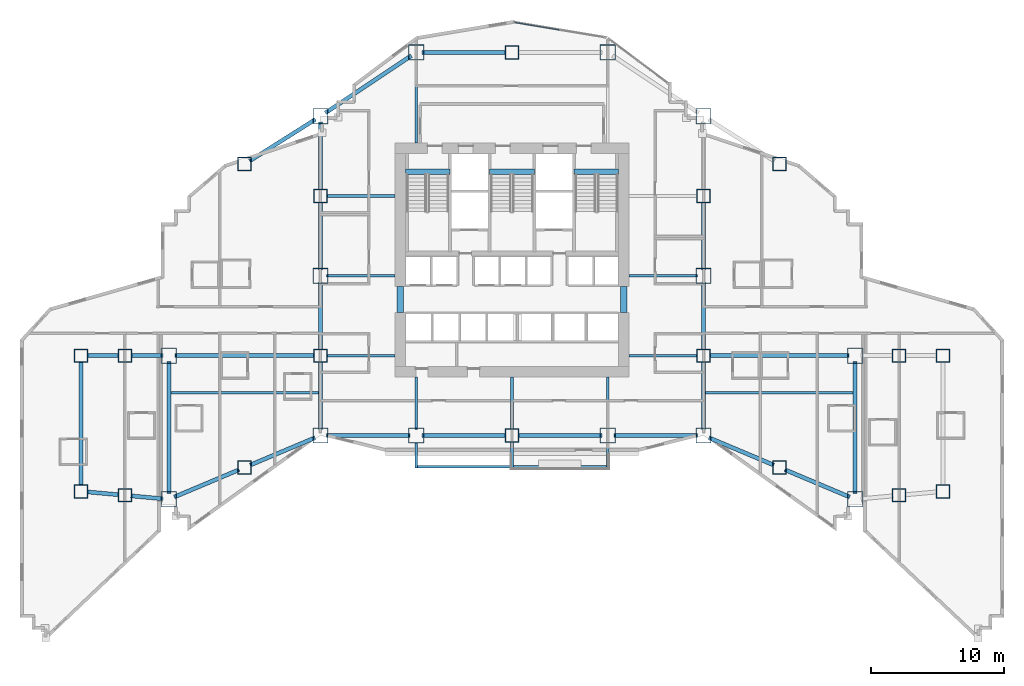
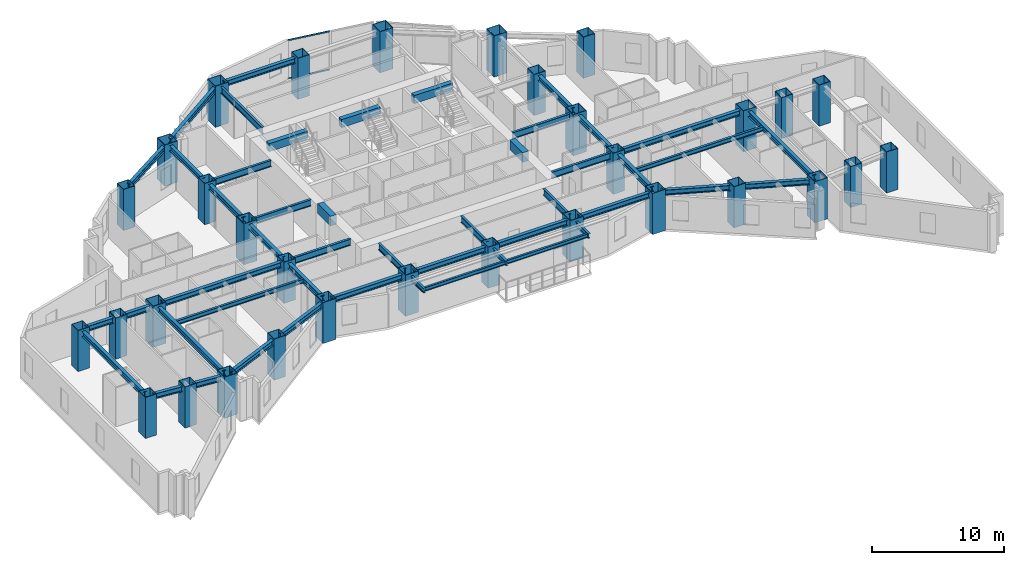
# One storey, part 1 of 17: 48 beams, 32 columns, 2 members, 1 element without a shape of its own.
"""IFC4 building model written with IfcOpenShell, lengths in metres."""

import ifcopenshell
import ifcopenshell.guid

model = None  # the IFC model being written
_history = None  # IfcOwnerHistory: only IFC2X3 demands one
_inside = {}  # id of a spatial element -> (the spatial element, [elements in it])
_under = {}  # id of a project, library or spatial element -> (it, [spatial elements below it])
_declared = {}  # id of a project -> (the project, [libraries it declares])
_typed = {}  # id of a type object -> (the type object, [elements of that type])
_made_of = {}  # id of a material, layer set ... -> (it, [elements and type objects made of it])


def new_model(schema):
    """Start an empty IFC model of exactly this schema.

    Asked for "IFC4X3", IfcOpenShell would pick the latest addendum, in which some entities
    have other attributes; the version numbers below select the first issue.
    IFC2X3 requires an IfcOwnerHistory on every rooted entity: one is made here for all.
    """
    global model, _history
    if schema == "IFC4X3":
        model = ifcopenshell.file(schema_version=(4, 3, 0, 0))
    else:
        model = ifcopenshell.file(schema=schema)
    _inside.clear()
    _under.clear()
    _declared.clear()
    _typed.clear()
    _made_of.clear()
    _history = None
    if model.schema == "IFC2X3":
        org = make("IfcOrganization", Name="unknown")
        user = make(
            "IfcPersonAndOrganization",
            ThePerson=make("IfcPerson", FamilyName="unknown"),
            TheOrganization=org,
        )
        app = make(
            "IfcApplication",
            ApplicationDeveloper=org,
            Version="unknown",
            ApplicationFullName="unknown",
            ApplicationIdentifier="unknown",
        )
        _history = make(
            "IfcOwnerHistory",
            OwningUser=user,
            OwningApplication=app,
            ChangeAction="ADDED",
            CreationDate=0,
        )
    return model


def make(cls, **values):
    """One entity of the class cls with the attributes given. An attribute that is None is left unset."""
    return model.create_entity(
        cls, **{name: value for name, value in values.items() if value is not None}
    )


def rooted(cls, **values):
    """An entity with a GlobalId (a new one), such as an element, a storey or a relation."""
    return make(cls, GlobalId=ifcopenshell.guid.new(), OwnerHistory=_history, **values)


def si_unit(unit_type, name, prefix=None):
    """IfcSIUnit, for example si_unit("LENGTHUNIT", "METRE", prefix="MILLI")."""
    return make("IfcSIUnit", UnitType=unit_type, Prefix=prefix, Name=name)


def assignment(units):
    """IfcUnitAssignment: the units of a project."""
    return None if units is None else make("IfcUnitAssignment", Units=units)


def point(xyz):
    """IfcCartesianPoint."""
    return None if xyz is None else make("IfcCartesianPoint", Coordinates=xyz)


def direction(xyz):
    """IfcDirection."""
    return None if xyz is None else make("IfcDirection", DirectionRatios=xyz)


def frame(location, z_axis=None, x_axis=None):
    """IfcAxis2Placement3D, a coordinate frame: its origin and axes. An axis left out is left unset."""
    return make(
        "IfcAxis2Placement3D",
        Location=point(location),
        Axis=direction(z_axis),
        RefDirection=direction(x_axis),
    )


def frame_2d(location, x_axis=None):
    """IfcAxis2Placement2D, a coordinate frame in the plane: its origin and x axis."""
    return make(
        "IfcAxis2Placement2D", Location=point(location), RefDirection=direction(x_axis)
    )


def origin():
    """The frame at (0, 0, 0) with its axes left unset."""
    return frame((0.0, 0.0, 0.0))


def origin_2d():
    """The frame at (0, 0) in the plane with its x axis left unset."""
    return frame_2d((0.0, 0.0))


def place(relative_to, where):
    """IfcLocalPlacement: puts the frame where relative to a parent placement (None: the world)."""
    return make(
        "IfcLocalPlacement", PlacementRelTo=relative_to, RelativePlacement=where
    )


def context(
    kind, dimensions, precision=None, world=None, true_north=None, identifier=None
):
    """IfcGeometricRepresentationContext, for example the 3D "Model" context."""
    return make(
        "IfcGeometricRepresentationContext",
        ContextIdentifier=identifier,
        ContextType=kind,
        CoordinateSpaceDimension=dimensions,
        Precision=precision,
        WorldCoordinateSystem=world,
        TrueNorth=true_north,
    )


def subcontext(parent, identifier, kind, view, scale=None):
    """IfcGeometricRepresentationSubContext, for example "Body" below "Model"."""
    return make(
        "IfcGeometricRepresentationSubContext",
        ContextIdentifier=identifier,
        ContextType=kind,
        ParentContext=parent,
        TargetScale=scale,
        TargetView=view,
    )


def project(units=None, contexts=None):
    """IfcProject with its units and contexts."""
    return rooted(
        "IfcProject",
        Name="project",
        RepresentationContexts=contexts,
        UnitsInContext=assignment(units),
    )


def spatial(cls, under=None, at=None, **own):
    """A site, building, storey or space (cls), placed at a placement, below another one or the project."""
    s = rooted(cls, ObjectPlacement=at, **own)
    if under is not None:
        _under.setdefault(under.id(), (under, []))[1].append(s)
    return s


def profile(cls, at=None, kind="AREA", **sizes):
    """A parametric profile (cls). Its sizes go by their IFC names, for example OverallWidth=200.0."""
    return make(cls, ProfileType=kind, Position=at, **sizes)


def rectangle(**sizes):
    """IfcRectangleProfileDef."""
    return profile("IfcRectangleProfileDef", **sizes)


def hollow_rectangle(**sizes):
    """IfcRectangleHollowProfileDef."""
    return profile("IfcRectangleHollowProfileDef", **sizes)


def i_section(**sizes):
    """IfcIShapeProfileDef."""
    return profile("IfcIShapeProfileDef", **sizes)


def extrude(swept, where, along, depth):
    """IfcExtrudedAreaSolid: the profile swept, set in the frame where, extruded along a direction by depth."""
    return make(
        "IfcExtrudedAreaSolid",
        SweptArea=swept,
        Position=where,
        ExtrudedDirection=direction(along),
        Depth=depth,
    )


def shape(context_of_items, identifier, shape_type, items):
    """IfcShapeRepresentation: the items that make up one representation, for example the "Body"."""
    return make(
        "IfcShapeRepresentation",
        ContextOfItems=context_of_items,
        RepresentationIdentifier=identifier,
        RepresentationType=shape_type,
        Items=items,
    )


def material(Name=None, Category=None):
    """IfcMaterial."""
    return make("IfcMaterial", Name=Name, Category=Category)


def layer(
    of_material, thickness, ventilated=None, Name=None, Category=None, Priority=None
):
    """IfcMaterialLayer: one layer of a wall or slab, of a material (None: an air gap)."""
    return make(
        "IfcMaterialLayer",
        Material=of_material,
        LayerThickness=thickness,
        IsVentilated=ventilated,
        Name=Name,
        Category=Category,
        Priority=Priority,
    )


def layer_set(layers, Name=None):
    """IfcMaterialLayerSet."""
    return make("IfcMaterialLayerSet", MaterialLayers=layers, LayerSetName=Name)


def material_profile(
    of_material, cross_section, Name=None, Category=None, Priority=None
):
    """IfcMaterialProfile: a cross section and its material."""
    return make(
        "IfcMaterialProfile",
        Name=Name,
        Material=of_material,
        Profile=cross_section,
        Priority=Priority,
        Category=Category,
    )


def profile_set(profiles, Name=None, composite=None):
    """IfcMaterialProfileSet."""
    return make(
        "IfcMaterialProfileSet",
        Name=Name,
        MaterialProfiles=profiles,
        CompositeProfile=composite,
    )


def made_of(thing, what):
    """Note that an element or type object is made of a material, layer set ...; save() writes the relation."""
    if what is not None:
        _made_of.setdefault(what.id(), (what, []))[1].append(thing)
    return thing


def type_object(cls, material=None, **own):
    """A type object (cls), such as IfcWallType, which elements share."""
    return made_of(rooted(cls, **own), material)


def element(
    cls,
    number,
    at=None,
    inside=None,
    cuts=None,
    type_object=None,
    material=None,
    context=None,
    identifier="Body",
    shape_type=None,
    held_by="IfcProductDefinitionShape",
    body=None,
    shapes=None,
    **own,
):
    """One element of the class cls, such as IfcWall. Its Tag is "e" and its number.

    at: its placement. inside: the storey or other place that contains it. cuts: it is an
    opening in that element (IfcRelVoidsElement). A single representation is given by context,
    identifier, shape_type and body (its items); several are given by shapes. held_by: the class
    of the entity that holds the representations. save() writes the other relations.
    """
    e = rooted(cls, Tag="e%d" % number, ObjectPlacement=at, **own)
    if body is not None:
        shapes = [shape(context, identifier, shape_type, body)]
    if shapes is not None:
        e.Representation = make(held_by, Representations=shapes)
    if inside is not None:
        _inside.setdefault(inside.id(), (inside, []))[1].append(e)
    if cuts is not None:
        rooted(
            "IfcRelVoidsElement", RelatingBuildingElement=cuts, RelatedOpeningElement=e
        )
    if type_object is not None:
        _typed.setdefault(type_object.id(), (type_object, []))[1].append(e)
    return made_of(e, material)


def aggregate(whole, parts):
    """IfcRelAggregates: a whole, such as a stair, and the parts it consists of."""
    return rooted("IfcRelAggregates", RelatingObject=whole, RelatedObjects=parts)


def save(model, path):
    """Write the relations noted so far, then the file.

    IfcRelAggregates (storeys below a building ...), IfcRelContainedInSpatialStructure (elements
    in a storey), IfcRelDefinesByType, IfcRelAssociatesMaterial and IfcRelDeclares: one each for
    every whole, place, type object, material and project.
    """
    for whole, parts in _under.values():
        aggregate(whole, parts)
    for where, things in _inside.values():
        rooted(
            "IfcRelContainedInSpatialStructure",
            RelatedElements=things,
            RelatingStructure=where,
        )
    for kind, things in _typed.values():
        rooted("IfcRelDefinesByType", RelatedObjects=things, RelatingType=kind)
    for what, things in _made_of.values():
        rooted("IfcRelAssociatesMaterial", RelatedObjects=things, RelatingMaterial=what)
    for by, libraries in _declared.values():
        rooted("IfcRelDeclares", RelatingContext=by, RelatedDefinitions=libraries)
    model.write(path)


model = new_model("IFC4")

# Units and contexts
model_context = context("Model", 3, precision=1e-05, world=origin(), true_north=direction((0.0, 1.0)))
body_context = subcontext(model_context, "Body", "Model", "MODEL_VIEW")
ifc_project = project(units=[si_unit("LENGTHUNIT", "METRE"), si_unit("AREAUNIT", "SQUARE_METRE"), si_unit("VOLUMEUNIT", "CUBIC_METRE"), si_unit("PLANEANGLEUNIT", "RADIAN"), si_unit("MASSUNIT", "GRAM", prefix="KILO")], contexts=[model_context])

# Site, building, storey
site_placement = place(None, origin())
site = spatial("IfcSite", under=ifc_project, at=site_placement, CompositionType="ELEMENT")
building_placement = place(site_placement, origin())
building = spatial("IfcBuilding", under=site, at=building_placement, Name="Haolan Belvedere Tower", CompositionType="ELEMENT")
storey_placement = place(building_placement, frame((0.0, 0.0, 59.0)))
storey = spatial("IfcBuildingStorey", under=building, at=storey_placement, Name="L14", CompositionType="ELEMENT", Elevation=59.0)

# Columns
ifc_material_1 = material(Name="Steel Q420GJC", Category="steel")
ifc_material_profile_1 = material_profile(ifc_material_1, hollow_rectangle(XDim=1.0, YDim=1.0, WallThickness=0.0380859375, at=origin_2d()), Name="Steel Q420GJC")
ifc_profile_set_1 = profile_set([ifc_material_profile_1], Name="Steel Q420GJC")
column_type_1 = type_object("IfcColumnType", Name="COL-BOX1000x1000x38", PredefinedType="COLUMN", material=ifc_profile_set_1)
for number, where, z_axis, x_axis, name in (
    (1, (6.0, 17.39990234375, 0.0), (0.0, 0.0, 1.0), (1.0, 0.0, 0.0), "L14 column MC-T1-SW (BOX1000x1000x38)"),
    (2, (6.0, 27.60009765625, 0.0), (0.0, 0.0, 1.0), (1.0, 0.0, 0.0), "L14 column MC-T1-NW (BOX1000x1000x38)"),
    (3, (70.800048828125, 17.39990234375, 0.0), (0.0, 0.0, 1.0), (1.0, 0.0, 0.0), "L14 column MC-T5-SE (BOX1000x1000x38)"),
    (4, (70.800048828125, 27.60009765625, 0.0), (0.0, 0.0, 1.0), (1.0, 0.0, 0.0), "L14 column MC-T5-NE (BOX1000x1000x38)"),
    (5, (24.0, 27.60009765625, 0.0), (0.0, 0.0, 1.0), (1.0, 0.0, 0.0), "L14 column TC-T3-W1 (BOX1000x1000x38)"),
    (6, (24.0, 39.60009765625, 0.0), (0.0, 0.0, 1.0), (1.0, 0.0, 0.0), "L14 column TC-T3-W2 (BOX1000x1000x38)"),
    (7, (52.800048828125, 27.60009765625, 0.0), (0.0, 0.0, 1.0), (1.0, 0.0, 0.0), "L14 column TC-T3-E1 (BOX1000x1000x38)"),
    (8, (52.800048828125, 39.60009765625, 0.0), (0.0, 0.0, 1.0), (1.0, 0.0, 0.0), "L14 column TC-T3-E2 (BOX1000x1000x38)"),
    (9, (38.39990234375, 21.60009765625, 0.0), (0.0, 0.0, 1.0), (1.0, 0.0, 0.0), "L14 column TC-T3-SM (BOX1000x1000x38)"),
    (10, (38.39990234375, 50.39990234375, 0.0), (0.0, 0.0, 1.0), (1.0, 0.0, 0.0), "L14 column TC-T3-NM (BOX1000x1000x38)"),
    (11, (18.300048828125, 19.199951171875, 0.0), (0.0, 0.0, 1.0), (1.0, 0.0, 0.0), "L14 column TC-T2-S1 (BOX1000x1000x38)"),
    (12, (18.300048828125, 42.0, 0.0), (0.0, 0.0, 1.0), (1.0, 0.0, 0.0), "L14 column TC-T2-N1 (BOX1000x1000x38)"),
    (13, (58.5, 19.199951171875, 0.0), (0.0, 0.0, 1.0), (1.0, 0.0, 0.0), "L14 column TC-T4-S1 (BOX1000x1000x38)"),
    (14, (58.5, 42.0, 0.0), (0.0, 0.0, 1.0), (1.0, 0.0, 0.0), "L14 column TC-T4-N1 (BOX1000x1000x38)"),
    (15, (9.300048828125, 17.10009765625, 0.0), (0.0, 0.0, 1.0), (1.0, 0.0, 0.0), "L14 column TC-T1-M1 (BOX1000x1000x38)"),
    (16, (9.300048828125, 27.60009765625, 0.0), (0.0, 0.0, 1.0), (1.0, 0.0, 0.0), "L14 column TC-T1-M2 (BOX1000x1000x38)"),
    (17, (67.5, 17.10009765625, 0.0), (0.0, 0.0, 1.0), (1.0, 0.0, 0.0), "L14 column TC-T5-M1 (BOX1000x1000x38)"),
    (18, (67.5, 27.60009765625, 0.0), (0.0, 0.0, 1.0), (1.0, 0.0, 0.0), "L14 column TC-T5-M2 (BOX1000x1000x38)"),
):
    element("IfcColumn", number, at=place(storey_placement, frame(where, z_axis=z_axis, x_axis=x_axis)), inside=storey, type_object=column_type_1, Name=name, PredefinedType="COLUMN", context=body_context, shape_type="SweptSolid", body=[
        extrude(hollow_rectangle(XDim=1.0, YDim=1.0, WallThickness=0.0380859375, at=origin_2d()), origin(), (0.0, 0.0, 1.0), 3.800048828125),
    ])
ifc_material_2 = material(Name="Steel Q355B", Category="steel")
ifc_material_profile_2 = material_profile(ifc_material_2, hollow_rectangle(XDim=1.14990234375, YDim=1.14990234375, WallThickness=0.0419921875, at=origin_2d()), Name="Steel Q355B")
ifc_profile_set_2 = profile_set([ifc_material_profile_2], Name="Steel Q355B")
column_type_2 = type_object("IfcColumnType", Name="COL-BOX1150x1150x42", PredefinedType="COLUMN", material=ifc_profile_set_2)
for number, where, z_axis, x_axis, name in (
    (19, (24.0, 21.60009765625, 0.0), (0.0, 0.0, 1.0), (1.0, 0.0, 0.0), "L14 column MC-T3-SW (BOX1150x1150x42)"),
    (20, (24.0, 33.60009765625, 0.0), (0.0, 0.0, 1.0), (1.0, 0.0, 0.0), "L14 column MC-T3-MW (BOX1150x1150x42)"),
    (21, (24.0, 45.60009765625, 0.0), (0.0, 0.0, 1.0), (1.0, 0.0, 0.0), "L14 column MC-T3-NW (BOX1150x1150x42)"),
    (22, (52.800048828125, 21.60009765625, 0.0), (0.0, 0.0, 1.0), (1.0, 0.0, 0.0), "L14 column MC-T3-SE (BOX1150x1150x42)"),
    (23, (52.800048828125, 33.60009765625, 0.0), (0.0, 0.0, 1.0), (1.0, 0.0, 0.0), "L14 column MC-T3-ME (BOX1150x1150x42)"),
    (24, (52.800048828125, 45.60009765625, 0.0), (0.0, 0.0, 1.0), (1.0, 0.0, 0.0), "L14 column MC-T3-NE (BOX1150x1150x42)"),
    (25, (31.199951171875, 21.60009765625, 0.0), (0.0, 0.0, 1.0), (1.0, 0.0, 0.0), "L14 column MC-T3-S1 (BOX1150x1150x42)"),
    (26, (45.60009765625, 21.60009765625, 0.0), (0.0, 0.0, 1.0), (1.0, 0.0, 0.0), "L14 column MC-T3-S2 (BOX1150x1150x42)"),
    (27, (31.199951171875, 50.39990234375, 0.0), (0.0, 0.0, 1.0), (1.0, 0.0, 0.0), "L14 column MC-T3-N1 (BOX1150x1150x42)"),
    (28, (45.60009765625, 50.39990234375, 0.0), (0.0, 0.0, 1.0), (1.0, 0.0, 0.0), "L14 column MC-T3-N2 (BOX1150x1150x42)"),
    (29, (12.60009765625, 16.800048828125, 0.0), (0.0, 0.0, 1.0), (1.0, 0.0, 0.0), "L14 column MC-T2-SW (BOX1150x1150x42)"),
    (30, (12.60009765625, 27.60009765625, 0.0), (0.0, 0.0, 1.0), (1.0, 0.0, 0.0), "L14 column MC-T2-MW (BOX1150x1150x42)"),
    (31, (64.199951171875, 16.800048828125, 0.0), (0.0, 0.0, 1.0), (1.0, 0.0, 0.0), "L14 column MC-T4-SE (BOX1150x1150x42)"),
    (32, (64.199951171875, 27.60009765625, 0.0), (0.0, 0.0, 1.0), (1.0, 0.0, 0.0), "L14 column MC-T4-ME (BOX1150x1150x42)"),
):
    element("IfcColumn", number, at=place(storey_placement, frame(where, z_axis=z_axis, x_axis=x_axis)), inside=storey, type_object=column_type_2, Name=name, PredefinedType="COLUMN", context=body_context, shape_type="SweptSolid", body=[
        extrude(hollow_rectangle(XDim=1.14990234375, YDim=1.14990234375, WallThickness=0.0419921875, at=origin_2d()), origin(), (0.0, 0.0, 1.0), 3.800048828125),
    ])

# Beams
ifc_material_profile_3 = material_profile(ifc_material_2, i_section(OverallWidth=0.300048828125, OverallDepth=0.488037109375, WebThickness=0.010986328125, FlangeThickness=0.01806640625, FilletRadius=0.02587890625, at=origin_2d()), Name="Steel Q355B")
ifc_profile_set_3 = profile_set([ifc_material_profile_3], Name="Steel Q355B")
beam_type_1 = type_object("IfcBeamType", Name="BM-HM488x300x11x18", PredefinedType="SPANDREL", material=ifc_profile_set_3)
for number, where, z_axis, x_axis, name in (
    (33, (24.0, 22.050048828125, 3.35595703125), (0.0, 1.0, 0.0), (-1.0, 0.0, 0.0), "L14 spandrel girder MC-T3-SW-TC-T3-W1"),
    (34, (24.0, 28.050048828125, 3.35595703125), (0.0, 1.0, 0.0), (-1.0, 0.0, 0.0), "L14 spandrel girder TC-T3-W1-MC-T3-MW"),
    (35, (24.0, 34.050048828125, 3.35595703125), (0.0, 1.0, 0.0), (-1.0, 0.0, 0.0), "L14 spandrel girder MC-T3-MW-TC-T3-W2"),
    (36, (24.0, 40.050048828125, 3.35595703125), (0.0, 1.0, 0.0), (-1.0, 0.0, 0.0), "L14 spandrel girder TC-T3-W2-MC-T3-NW"),
    (37, (52.800048828125, 22.050048828125, 3.35595703125), (0.0, 1.0, 0.0), (-1.0, 0.0, 0.0), "L14 spandrel girder MC-T3-SE-TC-T3-E1"),
    (38, (52.800048828125, 28.050048828125, 3.35595703125), (0.0, 1.0, 0.0), (-1.0, 0.0, 0.0), "L14 spandrel girder TC-T3-E1-MC-T3-ME"),
    (39, (52.800048828125, 34.050048828125, 3.35595703125), (0.0, 1.0, 0.0), (-1.0, 0.0, 0.0), "L14 spandrel girder MC-T3-ME-TC-T3-E2"),
):
    element("IfcBeam", number, at=place(storey_placement, frame(where, z_axis=z_axis, x_axis=x_axis)), inside=storey, type_object=beam_type_1, Name=name, PredefinedType="SPANDREL", context=body_context, shape_type="SweptSolid", body=[
        extrude(i_section(OverallWidth=0.300048828125, OverallDepth=0.488037109375, WebThickness=0.010986328125, FlangeThickness=0.01806640625, FilletRadius=0.02587890625, at=origin_2d()), origin(), (0.0, 0.0, 1.0), 5.099853515625),
    ])
for number, where, z_axis, x_axis, name in (
    (40, (24.449951171875, 21.60009765625, 3.35595703125), (1.0, 0.0, 0.0), (0.0, 1.0, 0.0), "L14 spandrel girder MC-T3-SW-MC-T3-S1"),
    (41, (31.64990234375, 21.60009765625, 3.35595703125), (1.0, 0.0, 0.0), (0.0, 1.0, 0.0), "L14 spandrel girder MC-T3-S1-TC-T3-SM"),
):
    element("IfcBeam", number, at=place(storey_placement, frame(where, z_axis=z_axis, x_axis=x_axis)), inside=storey, type_object=beam_type_1, Name=name, PredefinedType="SPANDREL", context=body_context, shape_type="SweptSolid", body=[
        extrude(i_section(OverallWidth=0.300048828125, OverallDepth=0.488037109375, WebThickness=0.010986328125, FlangeThickness=0.01806640625, FilletRadius=0.02587890625, at=origin_2d()), origin(), (0.0, 0.0, 1.0), 6.300048828125),
    ])
beam_1_placement = place(storey_placement, frame((38.85009765625, 21.60009765625, 3.35595703125), z_axis=(1.0, 0.0, 0.0), x_axis=(0.0, 1.0, 0.0)))
element("IfcBeam", 42, at=beam_1_placement, inside=storey, type_object=beam_type_1, Name="L14 spandrel girder TC-T3-SM-MC-T3-S2", PredefinedType="SPANDREL", context=body_context, shape_type="SweptSolid", body=[
    extrude(i_section(OverallWidth=0.300048828125, OverallDepth=0.488037109375, WebThickness=0.010986328125, FlangeThickness=0.01806640625, FilletRadius=0.02587890625, at=origin_2d()), origin(), (0.0, 0.0, 1.0), 6.2998046875),
])
beam_2_placement = place(storey_placement, frame((46.050048828125, 21.60009765625, 3.35595703125), z_axis=(1.0, 0.0, 0.0), x_axis=(0.0, 1.0, 0.0)))
element("IfcBeam", 43, at=beam_2_placement, inside=storey, type_object=beam_type_1, Name="L14 spandrel girder MC-T3-S2-MC-T3-SE", PredefinedType="SPANDREL", context=body_context, shape_type="SweptSolid", body=[
    extrude(i_section(OverallWidth=0.300048828125, OverallDepth=0.488037109375, WebThickness=0.010986328125, FlangeThickness=0.01806640625, FilletRadius=0.02587890625, at=origin_2d()), origin(), (0.0, 0.0, 1.0), 6.300048828125),
])
beam_3_placement = place(storey_placement, frame((24.37451171875, 45.849609375, 3.35595703125), z_axis=(0.832050294338, 0.554700196225, 0.0), x_axis=(-0.554700196225, 0.832050294338, 0.0)))
element("IfcBeam", 44, at=beam_3_placement, inside=storey, type_object=beam_type_1, Name="L14 spandrel girder MC-T3-NW-MC-T3-N1", PredefinedType="SPANDREL", context=body_context, shape_type="SweptSolid", body=[
    extrude(i_section(OverallWidth=0.300048828125, OverallDepth=0.488037109375, WebThickness=0.010986328125, FlangeThickness=0.01806640625, FilletRadius=0.02587890625, at=origin_2d()), origin(), (0.0, 0.0, 1.0), 7.75341796875),
])
beam_4_placement = place(storey_placement, frame((31.64990234375, 50.39990234375, 3.35595703125), z_axis=(1.0, 0.0, 0.0), x_axis=(0.0, 1.0, 0.0)))
element("IfcBeam", 45, at=beam_4_placement, inside=storey, type_object=beam_type_1, Name="L14 spandrel girder MC-T3-N1-TC-T3-NM", PredefinedType="SPANDREL", context=body_context, shape_type="SweptSolid", body=[
    extrude(i_section(OverallWidth=0.300048828125, OverallDepth=0.488037109375, WebThickness=0.010986328125, FlangeThickness=0.01806640625, FilletRadius=0.02587890625, at=origin_2d()), origin(), (0.0, 0.0, 1.0), 6.300048828125),
])
beam_5_placement = place(storey_placement, frame((12.60009765625, 17.25, 3.35595703125), z_axis=(0.0, 1.0, 0.0), x_axis=(-1.0, 0.0, 0.0)))
element("IfcBeam", 46, at=beam_5_placement, inside=storey, type_object=beam_type_1, Name="L14 spandrel girder MC-T2-SW-MC-T2-MW", PredefinedType="SPANDREL", context=body_context, shape_type="SweptSolid", body=[
    extrude(i_section(OverallWidth=0.300048828125, OverallDepth=0.488037109375, WebThickness=0.010986328125, FlangeThickness=0.01806640625, FilletRadius=0.02587890625, at=origin_2d()), origin(), (0.0, 0.0, 1.0), 9.89990234375),
])
beam_6_placement = place(storey_placement, frame((13.0146484375, 16.974609375, 3.35595703125), z_axis=(0.921635375138, 0.388057000058, 0.0), x_axis=(-0.388057000058, 0.921635375138, 0.0)))
element("IfcBeam", 47, at=beam_6_placement, inside=storey, type_object=beam_type_1, Name="L14 spandrel girder MC-T2-SW-TC-T2-S1", PredefinedType="SPANDREL", context=body_context, shape_type="SweptSolid", body=[
    extrude(i_section(OverallWidth=0.300048828125, OverallDepth=0.488037109375, WebThickness=0.010986328125, FlangeThickness=0.01806640625, FilletRadius=0.02587890625, at=origin_2d()), origin(), (0.0, 0.0, 1.0), 5.28466796875),
])
beam_7_placement = place(storey_placement, frame((18.71484375, 19.37451171875, 3.35595703125), z_axis=(0.92162841793, 0.388073523014, 0.0), x_axis=(-0.388073523014, 0.92162841793, 0.0)))
element("IfcBeam", 48, at=beam_7_placement, inside=storey, type_object=beam_type_1, Name="L14 spandrel girder TC-T2-S1-MC-T3-SW", PredefinedType="SPANDREL", context=body_context, shape_type="SweptSolid", body=[
    extrude(i_section(OverallWidth=0.300048828125, OverallDepth=0.488037109375, WebThickness=0.010986328125, FlangeThickness=0.01806640625, FilletRadius=0.02587890625, at=origin_2d()), origin(), (0.0, 0.0, 1.0), 5.284423828125),
])
beam_8_placement = place(storey_placement, frame((18.680419921875, 42.240234375, 3.35595703125), z_axis=(0.845497840649, 0.533978839898, 0.0), x_axis=(-0.533978839898, 0.845497840649, 0.0)))
element("IfcBeam", 49, at=beam_8_placement, inside=storey, type_object=beam_type_1, Name="L14 spandrel girder TC-T2-N1-MC-T3-NW", PredefinedType="SPANDREL", context=body_context, shape_type="SweptSolid", body=[
    extrude(i_section(OverallWidth=0.300048828125, OverallDepth=0.488037109375, WebThickness=0.010986328125, FlangeThickness=0.01806640625, FilletRadius=0.02587890625, at=origin_2d()), origin(), (0.0, 0.0, 1.0), 5.841796875),
])
beam_9_placement = place(storey_placement, frame((13.050048828125, 27.60009765625, 3.35595703125), z_axis=(1.0, 0.0, 0.0), x_axis=(0.0, 1.0, 0.0)))
element("IfcBeam", 50, at=beam_9_placement, inside=storey, type_object=beam_type_1, Name="L14 spandrel girder MC-T2-MW-TC-T3-W1", PredefinedType="SPANDREL", context=body_context, shape_type="SweptSolid", body=[
    extrude(i_section(OverallWidth=0.300048828125, OverallDepth=0.488037109375, WebThickness=0.010986328125, FlangeThickness=0.01806640625, FilletRadius=0.02587890625, at=origin_2d()), origin(), (0.0, 0.0, 1.0), 10.5),
])
beam_10_placement = place(storey_placement, frame((64.199951171875, 17.25, 3.35595703125), z_axis=(0.0, 1.0, 0.0), x_axis=(-1.0, 0.0, 0.0)))
element("IfcBeam", 51, at=beam_10_placement, inside=storey, type_object=beam_type_1, Name="L14 spandrel girder MC-T4-SE-MC-T4-ME", PredefinedType="SPANDREL", context=body_context, shape_type="SweptSolid", body=[
    extrude(i_section(OverallWidth=0.300048828125, OverallDepth=0.488037109375, WebThickness=0.010986328125, FlangeThickness=0.01806640625, FilletRadius=0.02587890625, at=origin_2d()), origin(), (0.0, 0.0, 1.0), 9.89990234375),
])
for number, where, z_axis, x_axis, name in (
    (52, (53.21484375, 21.42529296875, 3.35595703125), (0.92162841793, -0.388073523014, 0.0), (0.388073523014, 0.92162841793, 0.0), "L14 spandrel girder MC-T3-SE-TC-T4-S1"),
    (53, (58.914794921875, 19.025390625, 3.35595703125), (0.92162841793, -0.388073523014, 0.0), (0.388073523014, 0.92162841793, 0.0), "L14 spandrel girder TC-T4-S1-MC-T4-SE"),
):
    element("IfcBeam", number, at=place(storey_placement, frame(where, z_axis=z_axis, x_axis=x_axis)), inside=storey, type_object=beam_type_1, Name=name, PredefinedType="SPANDREL", context=body_context, shape_type="SweptSolid", body=[
        extrude(i_section(OverallWidth=0.300048828125, OverallDepth=0.488037109375, WebThickness=0.010986328125, FlangeThickness=0.01806640625, FilletRadius=0.02587890625, at=origin_2d()), origin(), (0.0, 0.0, 1.0), 5.284423828125),
    ])
beam_11_placement = place(storey_placement, frame((53.25, 27.60009765625, 3.35595703125), z_axis=(1.0, 0.0, 0.0), x_axis=(0.0, 1.0, 0.0)))
element("IfcBeam", 54, at=beam_11_placement, inside=storey, type_object=beam_type_1, Name="L14 spandrel girder TC-T3-E1-MC-T4-ME", PredefinedType="SPANDREL", context=body_context, shape_type="SweptSolid", body=[
    extrude(i_section(OverallWidth=0.300048828125, OverallDepth=0.488037109375, WebThickness=0.010986328125, FlangeThickness=0.01806640625, FilletRadius=0.02587890625, at=origin_2d()), origin(), (0.0, 0.0, 1.0), 10.5),
])
beam_12_placement = place(storey_placement, frame((6.0, 17.85009765625, 3.35595703125), z_axis=(0.0, 1.0, 0.0), x_axis=(-1.0, 0.0, 0.0)))
element("IfcBeam", 55, at=beam_12_placement, inside=storey, type_object=beam_type_1, Name="L14 spandrel girder MC-T1-SW-MC-T1-NW", PredefinedType="SPANDREL", context=body_context, shape_type="SweptSolid", body=[
    extrude(i_section(OverallWidth=0.300048828125, OverallDepth=0.488037109375, WebThickness=0.010986328125, FlangeThickness=0.01806640625, FilletRadius=0.02587890625, at=origin_2d()), origin(), (0.0, 0.0, 1.0), 9.2998046875),
])
beam_13_placement = place(storey_placement, frame((6.4482421875, 17.359375, 3.35595703125), z_axis=(0.995884080761, -0.090636072764, 0.0), x_axis=(0.090636072764, 0.995884080761, 0.0)))
element("IfcBeam", 56, at=beam_13_placement, inside=storey, type_object=beam_type_1, Name="L14 spandrel girder MC-T1-SW-TC-T1-M1", PredefinedType="SPANDREL", context=body_context, shape_type="SweptSolid", body=[
    extrude(i_section(OverallWidth=0.300048828125, OverallDepth=0.488037109375, WebThickness=0.010986328125, FlangeThickness=0.01806640625, FilletRadius=0.02587890625, at=origin_2d()), origin(), (0.0, 0.0, 1.0), 2.41357421875),
])
beam_14_placement = place(storey_placement, frame((9.748046875, 17.059326171875, 3.35595703125), z_axis=(0.9958940355, -0.090526626221, 0.0), x_axis=(0.090526626221, 0.9958940355, 0.0)))
element("IfcBeam", 57, at=beam_14_placement, inside=storey, type_object=beam_type_1, Name="L14 spandrel girder TC-T1-M1-MC-T2-SW", PredefinedType="SPANDREL", context=body_context, shape_type="SweptSolid", body=[
    extrude(i_section(OverallWidth=0.300048828125, OverallDepth=0.488037109375, WebThickness=0.010986328125, FlangeThickness=0.01806640625, FilletRadius=0.02587890625, at=origin_2d()), origin(), (0.0, 0.0, 1.0), 2.413818359375),
])
beam_15_placement = place(storey_placement, frame((6.449951171875, 27.60009765625, 3.35595703125), z_axis=(1.0, 0.0, 0.0), x_axis=(0.0, 1.0, 0.0)))
element("IfcBeam", 58, at=beam_15_placement, inside=storey, type_object=beam_type_1, Name="L14 spandrel girder MC-T1-NW-TC-T1-M2", PredefinedType="SPANDREL", context=body_context, shape_type="SweptSolid", body=[
    extrude(i_section(OverallWidth=0.300048828125, OverallDepth=0.488037109375, WebThickness=0.010986328125, FlangeThickness=0.01806640625, FilletRadius=0.02587890625, at=origin_2d()), origin(), (0.0, 0.0, 1.0), 2.400146484375),
])
beam_16_placement = place(storey_placement, frame((9.75, 27.60009765625, 3.35595703125), z_axis=(1.0, 0.0, 0.0), x_axis=(0.0, 1.0, 0.0)))
element("IfcBeam", 59, at=beam_16_placement, inside=storey, type_object=beam_type_1, Name="L14 spandrel girder TC-T1-M2-MC-T2-MW", PredefinedType="SPANDREL", context=body_context, shape_type="SweptSolid", body=[
    extrude(i_section(OverallWidth=0.300048828125, OverallDepth=0.488037109375, WebThickness=0.010986328125, FlangeThickness=0.01806640625, FilletRadius=0.02587890625, at=origin_2d()), origin(), (0.0, 0.0, 1.0), 2.39990234375),
])
ifc_material_profile_4 = material_profile(ifc_material_2, i_section(OverallWidth=0.175048828125, OverallDepth=0.35009765625, WebThickness=0.007080078125, FlangeThickness=0.010986328125, FilletRadius=0.012939453125, at=origin_2d()), Name="Steel Q355B")
ifc_profile_set_4 = profile_set([ifc_material_profile_4], Name="Steel Q355B")
beam_type_2 = type_object("IfcBeamType", Name="BM-HN350x175x7x11", PredefinedType="JOIST", material=ifc_profile_set_4)
for number, where, z_axis, x_axis, name in (
    (60, (31.300048828125, 19.239990234375, 3.39501953125), (1.0, 0.0, 0.0), (0.0, 1.0, 0.0), "L15 tree-balcony front trimmer beam 1"),
    (61, (38.5, 19.239990234375, 3.39501953125), (1.0, 0.0, 0.0), (0.0, 1.0, 0.0), "L15 tree-balcony front trimmer beam 2"),
):
    element("IfcBeam", number, at=place(storey_placement, frame(where, z_axis=z_axis, x_axis=x_axis)), inside=storey, type_object=beam_type_2, Name=name, PredefinedType="BEAM", context=body_context, shape_type="SweptSolid", body=[
        extrude(i_section(OverallWidth=0.175048828125, OverallDepth=0.35009765625, WebThickness=0.007080078125, FlangeThickness=0.010986328125, FilletRadius=0.012939453125, at=origin_2d()), origin(), (0.0, 0.0, 1.0), 7.0),
    ])
ifc_material_profile_5 = material_profile(ifc_material_2, i_section(OverallWidth=0.199951171875, OverallDepth=0.39990234375, WebThickness=0.008056640625, FlangeThickness=0.012939453125, FilletRadius=0.01611328125, at=origin_2d()), Name="Steel Q355B")
ifc_profile_set_5 = profile_set([ifc_material_profile_5], Name="Steel Q355B")
beam_type_3 = type_object("IfcBeamType", Name="BM-HN400x200x8x13", PredefinedType="JOIST", material=ifc_profile_set_5)
for number, where, z_axis, x_axis, name in (
    (62, (12.75, 24.800048828125, 3.39990234375), (1.0, 0.0, 0.0), (0.0, 1.0, 0.0), "L14 west wing floor joist 1"),
    (63, (52.949951171875, 24.800048828125, 3.39990234375), (1.0, 0.0, 0.0), (0.0, 1.0, 0.0), "L14 east wing floor joist 1"),
):
    element("IfcBeam", number, at=place(storey_placement, frame(where, z_axis=z_axis, x_axis=x_axis)), inside=storey, type_object=beam_type_3, Name=name, PredefinedType="JOIST", context=body_context, shape_type="SweptSolid", body=[
        extrude(i_section(OverallWidth=0.199951171875, OverallDepth=0.39990234375, WebThickness=0.008056640625, FlangeThickness=0.012939453125, FilletRadius=0.01611328125, at=origin_2d()), origin(), (0.0, 0.0, 1.0), 11.10009765625),
    ])
ifc_material_profile_6 = material_profile(ifc_material_2, i_section(OverallWidth=0.199951171875, OverallDepth=0.449951171875, WebThickness=0.009033203125, FlangeThickness=0.013916015625, FilletRadius=0.01611328125, at=origin_2d()), Name="Steel Q355B")
ifc_profile_set_6 = profile_set([ifc_material_profile_6], Name="Steel Q355B")
beam_type_4 = type_object("IfcBeamType", Name="BM-HN450x200x9x14", PredefinedType="BEAM", material=ifc_profile_set_6)
beam_17_placement = place(storey_placement, frame((31.199951171875, 21.02490234375, 3.344970703125), z_axis=(0.0, -1.0, 0.0), x_axis=(1.0, 0.0, 0.0)))
element("IfcBeam", 64, at=beam_17_placement, inside=storey, type_object=beam_type_4, Name="L15 tree-balcony column cantilever MC-T3-S1", PredefinedType="BEAM", context=body_context, shape_type="SweptSolid", body=[
    extrude(i_section(OverallWidth=0.199951171875, OverallDepth=0.449951171875, WebThickness=0.009033203125, FlangeThickness=0.013916015625, FilletRadius=0.01611328125, at=origin_2d()), origin(), (0.0, 0.0, 1.0), 1.885009765625),
])
beam_18_placement = place(storey_placement, frame((38.39990234375, 21.10009765625, 3.344970703125), z_axis=(0.0, -1.0, 0.0), x_axis=(1.0, 0.0, 0.0)))
element("IfcBeam", 65, at=beam_18_placement, inside=storey, type_object=beam_type_4, Name="L15 tree-balcony column cantilever TC-T3-SM", PredefinedType="BEAM", context=body_context, shape_type="SweptSolid", body=[
    extrude(i_section(OverallWidth=0.199951171875, OverallDepth=0.449951171875, WebThickness=0.009033203125, FlangeThickness=0.013916015625, FilletRadius=0.01611328125, at=origin_2d()), origin(), (0.0, 0.0, 1.0), 1.960205078125),
])
beam_19_placement = place(storey_placement, frame((45.60009765625, 21.02490234375, 3.344970703125), z_axis=(0.0, -1.0, 0.0), x_axis=(1.0, 0.0, 0.0)))
element("IfcBeam", 66, at=beam_19_placement, inside=storey, type_object=beam_type_4, Name="L15 tree-balcony column cantilever MC-T3-S2", PredefinedType="BEAM", context=body_context, shape_type="SweptSolid", body=[
    extrude(i_section(OverallWidth=0.199951171875, OverallDepth=0.449951171875, WebThickness=0.009033203125, FlangeThickness=0.013916015625, FilletRadius=0.01611328125, at=origin_2d()), origin(), (0.0, 0.0, 1.0), 1.885009765625),
])
ifc_material_profile_7 = material_profile(ifc_material_2, i_section(OverallWidth=0.199951171875, OverallDepth=0.60009765625, WebThickness=0.010986328125, FlangeThickness=0.01708984375, FilletRadius=0.02197265625, at=origin_2d()), Name="Steel Q355B")
ifc_profile_set_7 = profile_set([ifc_material_profile_7], Name="Steel Q355B")
beam_type_5 = type_object("IfcBeamType", Name="BM-HN600x200x11x17", PredefinedType="BEAM", material=ifc_profile_set_7)
for number, where, z_axis, x_axis, name in (
    (67, (24.449951171875, 33.60009765625, 3.300048828125), (1.0, 0.0, 0.0), (0.0, 1.0, 0.0), "L14 core tie beam from MC-T3-MW"),
    (68, (24.449951171875, 27.60009765625, 3.300048828125), (1.0, 0.0, 0.0), (0.0, 1.0, 0.0), "L14 core tie beam from TC-T3-W1"),
    (69, (24.449951171875, 39.60009765625, 3.300048828125), (1.0, 0.0, 0.0), (0.0, 1.0, 0.0), "L14 core tie beam from TC-T3-W2"),
    (70, (52.35009765625, 33.60009765625, 3.300048828125), (-1.0, 0.0, 0.0), (0.0, -1.0, 0.0), "L14 core tie beam from MC-T3-ME"),
    (71, (52.35009765625, 27.60009765625, 3.300048828125), (-1.0, 0.0, 0.0), (0.0, -1.0, 0.0), "L14 core tie beam from TC-T3-E1"),
):
    element("IfcBeam", number, at=place(storey_placement, frame(where, z_axis=z_axis, x_axis=x_axis)), inside=storey, type_object=beam_type_5, Name=name, PredefinedType="BEAM", context=body_context, shape_type="SweptSolid", body=[
        extrude(i_section(OverallWidth=0.199951171875, OverallDepth=0.60009765625, WebThickness=0.010986328125, FlangeThickness=0.01708984375, FilletRadius=0.02197265625, at=origin_2d()), origin(), (0.0, 0.0, 1.0), 5.150146484375),
    ])
for number, where, z_axis, x_axis, name in (
    (72, (31.199951171875, 22.050048828125, 3.300048828125), (0.0, 1.0, 0.0), (-1.0, 0.0, 0.0), "L14 core tie beam from MC-T3-S1"),
    (73, (38.39990234375, 22.050048828125, 3.300048828125), (0.0, 1.0, 0.0), (-1.0, 0.0, 0.0), "L14 core tie beam from TC-T3-SM"),
    (74, (45.60009765625, 22.050048828125, 3.300048828125), (0.0, 1.0, 0.0), (-1.0, 0.0, 0.0), "L14 core tie beam from MC-T3-S2"),
):
    element("IfcBeam", number, at=place(storey_placement, frame(where, z_axis=z_axis, x_axis=x_axis)), inside=storey, type_object=beam_type_5, Name=name, PredefinedType="BEAM", context=body_context, shape_type="SweptSolid", body=[
        extrude(i_section(OverallWidth=0.199951171875, OverallDepth=0.60009765625, WebThickness=0.010986328125, FlangeThickness=0.01708984375, FilletRadius=0.02197265625, at=origin_2d()), origin(), (0.0, 0.0, 1.0), 3.949951171875),
    ])
beam_20_placement = place(storey_placement, frame((31.199951171875, 49.949951171875, 3.300048828125), z_axis=(0.0, -1.0, 0.0), x_axis=(1.0, 0.0, 0.0)))
element("IfcBeam", 75, at=beam_20_placement, inside=storey, type_object=beam_type_5, Name="L14 core tie beam from MC-T3-N1", PredefinedType="BEAM", context=body_context, shape_type="SweptSolid", body=[
    extrude(i_section(OverallWidth=0.199951171875, OverallDepth=0.60009765625, WebThickness=0.010986328125, FlangeThickness=0.01708984375, FilletRadius=0.02197265625, at=origin_2d()), origin(), (0.0, 0.0, 1.0), 6.349853515625),
])
ifc_material_3 = material(Name="Concrete C50/60", Category="concrete")
ifc_material_profile_8 = material_profile(ifc_material_3, rectangle(XDim=0.39990234375, YDim=0.75, at=origin_2d()), Name="Concrete C50/60")
ifc_profile_set_8 = profile_set([ifc_material_profile_8], Name="Concrete C50/60")
beam_type_6 = type_object("IfcBeamType", Name="BM-RC400x750", PredefinedType="T_BEAM", material=ifc_profile_set_8)
beam_21_placement = place(storey_placement, frame((30.3798828125, 41.429931640625, 3.425048828125), z_axis=(1.0, 0.0, 0.0), x_axis=(0.0, 1.0, 0.0)))
element("IfcBeam", 76, at=beam_21_placement, inside=storey, type_object=beam_type_6, Name="L15 stair ST1 RC header trimmer beam", PredefinedType="BEAM", context=body_context, shape_type="SweptSolid", body=[
    extrude(rectangle(XDim=0.39990234375, YDim=0.75, at=origin_2d()), origin(), (0.0, 0.0, 1.0), 3.360107421875),
])
beam_22_placement = place(storey_placement, frame((36.699951171875, 41.429931640625, 3.425048828125), z_axis=(1.0, 0.0, 0.0), x_axis=(0.0, 1.0, 0.0)))
element("IfcBeam", 77, at=beam_22_placement, inside=storey, type_object=beam_type_6, Name="L15 stair ST3 RC header trimmer beam", PredefinedType="BEAM", context=body_context, shape_type="SweptSolid", body=[
    extrude(rectangle(XDim=0.39990234375, YDim=0.75, at=origin_2d()), origin(), (0.0, 0.0, 1.0), 3.400146484375),
])
beam_23_placement = place(storey_placement, frame((43.06005859375, 41.429931640625, 3.425048828125), z_axis=(1.0, 0.0, 0.0), x_axis=(0.0, 1.0, 0.0)))
element("IfcBeam", 78, at=beam_23_placement, inside=storey, type_object=beam_type_6, Name="L15 stair ST2 RC header trimmer beam", PredefinedType="BEAM", context=body_context, shape_type="SweptSolid", body=[
    extrude(rectangle(XDim=0.39990234375, YDim=0.75, at=origin_2d()), origin(), (0.0, 0.0, 1.0), 3.35986328125),
])
ifc_material_4 = material(Name="Concrete C60/75", Category="concrete")
ifc_material_profile_9 = material_profile(ifc_material_4, rectangle(XDim=0.5, YDim=0.89990234375, at=origin_2d()), Name="Concrete C60/75")
ifc_profile_set_9 = profile_set([ifc_material_profile_9], Name="Concrete C60/75")
beam_type_7 = type_object("IfcBeamType", Name="BM-RC500x900", PredefinedType="LINTEL", material=ifc_profile_set_9)
for number, where, z_axis, x_axis, name in (
    (79, (30.0, 30.85009765625, 3.14990234375), (0.0, 1.0, 0.0), (-1.0, 0.0, 0.0), "L14 west core coupling beam CB-01"),
    (80, (46.800048828125, 30.85009765625, 3.14990234375), (0.0, 1.0, 0.0), (-1.0, 0.0, 0.0), "L14 east core coupling beam CB-01"),
):
    element("IfcBeam", number, at=place(storey_placement, frame(where, z_axis=z_axis, x_axis=x_axis)), inside=storey, type_object=beam_type_7, Name=name, PredefinedType="LINTEL", context=body_context, shape_type="SweptSolid", body=[
        extrude(rectangle(XDim=0.5, YDim=0.89990234375, at=origin_2d()), origin(), (0.0, 0.0, 1.0), 1.949951171875),
    ])

# Curtain wall, members
ifc_material_5 = material(Name="Anodised champagne-silver aluminium 6063-T6 and Low-E glass", Category="aluminium")
ifc_layer = layer(ifc_material_5, 0.1650390625, Name="Anodised champagne-silver aluminium 6063-T6 and Low-E glass")
ifc_layer_set = layer_set([ifc_layer], Name="Anodised champagne-silver aluminium 6063-T6 and Low-E glass")
curtain_wall_type = type_object("IfcCurtainWallType", Name="CW-SYS-02", PredefinedType="NOTDEFINED", material=ifc_layer_set)
curtain_wall_placement = place(storey_placement, origin())
curtain_wall = element("IfcCurtainWall", 81, at=curtain_wall_placement, inside=storey, type_object=curtain_wall_type, Name="L14 CW-SYS-02 ribbon curtain wall 42.1", PredefinedType="NOTDEFINED")
ifc_material_6 = material(Name="Anodised aluminium 6063-T6", Category="aluminium")
ifc_material_profile_10 = material_profile(ifc_material_6, hollow_rectangle(XDim=0.054931640625, YDim=0.1298828125, WallThickness=0.00390625, at=origin_2d()), Name="Anodised aluminium 6063-T6")
ifc_profile_set_10 = profile_set([ifc_material_profile_10], Name="Anodised aluminium 6063-T6")
member_type = type_object("IfcMemberType", Name="CW-SYS-02-TRN", PredefinedType="USERDEFINED", material=ifc_profile_set_10)
member_1_placement = place(storey_placement, frame((41.946044921875, 52.08740234375, 0.027587890625), z_axis=(-0.986395867289, 0.164387326137, 0.0), x_axis=(-0.164387326137, -0.986395867289, 0.0)))
member_1 = element("IfcMember", 82, at=member_1_placement, type_object=member_type, Name="CW-02 transom 2.1", ObjectType="TRANSOM", PredefinedType="USERDEFINED", context=body_context, shape_type="SweptSolid", body=[
    extrude(hollow_rectangle(XDim=0.054931640625, YDim=0.1298828125, WallThickness=0.00390625, at=origin_2d()), origin(), (0.0, 0.0, 1.0), 3.39501953125),
])
member_2_placement = place(storey_placement, frame((41.946044921875, 52.08740234375, 3.572509765625), z_axis=(-0.986395867289, 0.164387326137, 0.0), x_axis=(-0.164387326137, -0.986395867289, 0.0)))
member_2 = element("IfcMember", 83, at=member_2_placement, type_object=member_type, Name="CW-02 transom 2.2", ObjectType="TRANSOM", PredefinedType="USERDEFINED", context=body_context, shape_type="SweptSolid", body=[
    extrude(hollow_rectangle(XDim=0.054931640625, YDim=0.1298828125, WallThickness=0.00390625, at=origin_2d()), origin(), (0.0, 0.0, 1.0), 3.39501953125),
])
aggregate(curtain_wall, [member_1, member_2])

save(model, "model.ifc")
